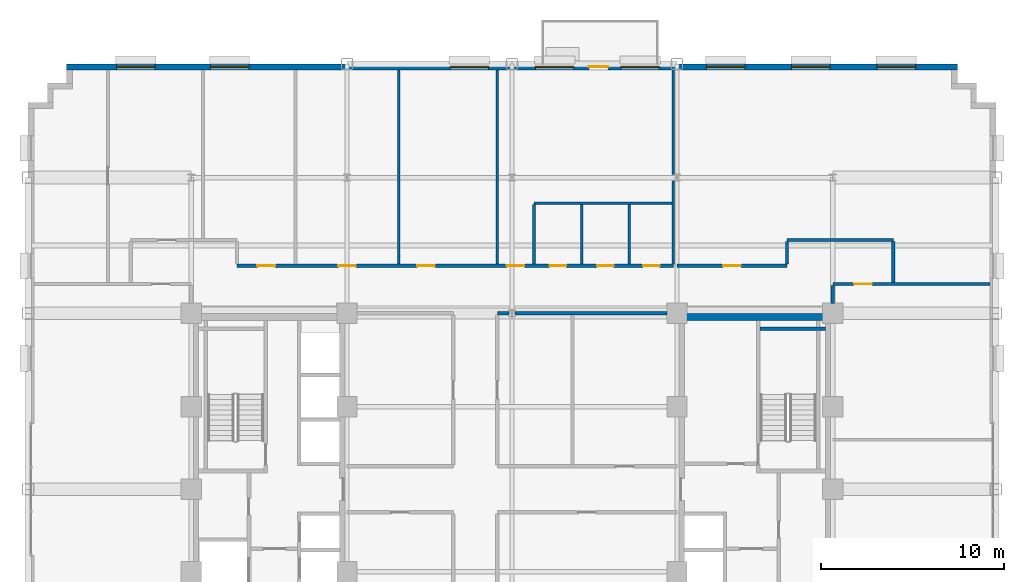
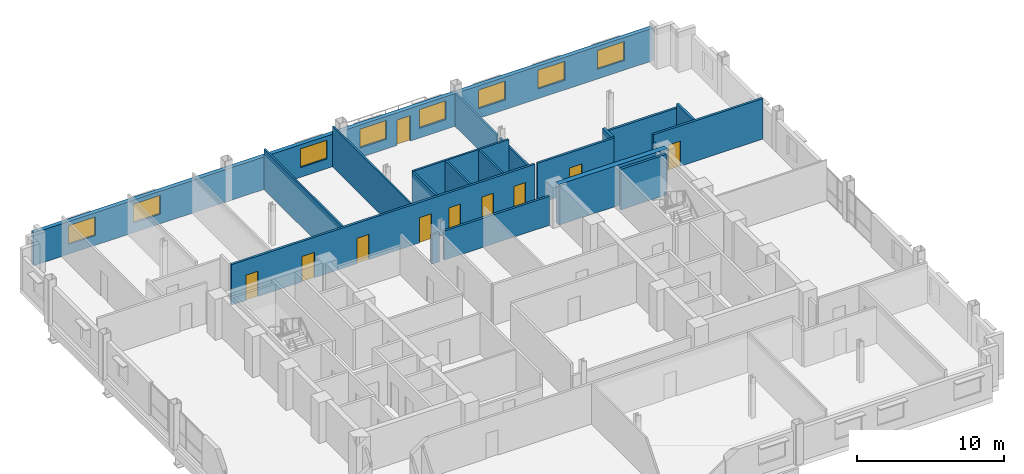
# One storey, part 9 of 16: 20 walls, 10 doors, 8 windows, 18 openings.
"""IFC4 building model written with IfcOpenShell, lengths in metres."""

from ifc_helpers import new_model, si_unit, direction, frame, frame_2d, origin, place, context, subcontext, project, spatial, rectangle, extrude, source, transform, mapped, material, layer, layer_set, type_object, type_shapes, element, fill, save


model = new_model("IFC4")

# Units and contexts
model_context = context("Model", 3, precision=1e-05, world=origin(), true_north=direction((0.0, 1.0)))
body_context = subcontext(model_context, "Body", "Model", "MODEL_VIEW")
ifc_project = project(units=[si_unit("LENGTHUNIT", "METRE"), si_unit("AREAUNIT", "SQUARE_METRE"), si_unit("VOLUMEUNIT", "CUBIC_METRE"), si_unit("PLANEANGLEUNIT", "RADIAN"), si_unit("MASSUNIT", "GRAM", prefix="KILO")], contexts=[model_context])

# Site, building, storey
site_placement = place(None, origin())
site = spatial("IfcSite", under=ifc_project, at=site_placement, CompositionType="ELEMENT")
building_placement = place(site_placement, origin())
building = spatial("IfcBuilding", under=site, at=building_placement, Name="Nuvemarco Arch Tower", CompositionType="ELEMENT")
storey_placement = place(building_placement, frame((0.0, 0.0, 116.550048828125)))
storey = spatial("IfcBuildingStorey", under=building, at=storey_placement, Name="L30", CompositionType="ELEMENT", Elevation=116.550048828125)

# Wall, openings, door, windows
ifc_material_1 = material(Name="Precast concrete C45/55", Category="concrete")
ifc_layer_1 = layer(ifc_material_1, 0.320068359375, Name="EW-MID-320")
ifc_layer_set_1 = layer_set([ifc_layer_1], Name="Precast concrete C45/55")
wall_type_1 = type_object("IfcWallType", Name="EW-MID-320", PredefinedType="STANDARD", material=ifc_layer_set_1)
wall_1_placement = place(storey_placement, frame((-24.300048828125, 23.0400390625, 0.0), z_axis=(0.0, 0.0, 1.0), x_axis=(1.0, 0.0, 0.0)))
wall_1 = element("IfcWall", 1, at=wall_1_placement, inside=storey, type_object=wall_type_1, Name="L30 exterior precast facade wall 11", PredefinedType="STANDARD", context=body_context, shape_type="SweptSolid", body=[
    extrude(rectangle(XDim=48.60009765625, YDim=0.320068359375, at=frame_2d((24.300048828125, 0.0))), origin(), (0.0, 0.0, 1.0), 2.704833984375),
])
opening_1_placement = place(wall_1_placement, frame((28.5, 0.0, 0.0)))
opening_1 = element("IfcOpeningElement", 2, at=opening_1_placement, cuts=wall_1, Name="Opening ED-5", PredefinedType="OPENING", context=body_context, shape_type="SweptSolid", body=[
    extrude(rectangle(XDim=1.050048828125, YDim=2.10009765625, at=frame_2d((0.52490234375, 1.050048828125))), frame((0.0, 0.169921875, 0.0), z_axis=(0.0, -1.0, 0.0), x_axis=(1.0, 0.0, 0.0)), (0.0, 0.0, 1.0), 0.340087890625),
])
opening_2_placement = place(wall_1_placement, frame((2.72998046875, 0.0, 0.800048828125)))
opening_2 = element("IfcOpeningElement", 3, at=opening_2_placement, cuts=wall_1, Name="Opening WN-5", PredefinedType="OPENING", context=body_context, shape_type="SweptSolid", body=[
    extrude(rectangle(XDim=2.10009765625, YDim=1.56005859375, at=frame_2d((1.050048828125, 0.780029296875))), frame((0.0, 0.169921875, 0.0), z_axis=(0.0, -1.0, 0.0), x_axis=(1.0, 0.0, 0.0)), (0.0, 0.0, 1.0), 0.340087890625),
])
opening_3_placement = place(wall_1_placement, frame((7.840087890625, 0.0, 0.800048828125)))
opening_3 = element("IfcOpeningElement", 4, at=opening_3_placement, cuts=wall_1, Name="Opening WN-5", PredefinedType="OPENING", context=body_context, shape_type="SweptSolid", body=[
    extrude(rectangle(XDim=2.10009765625, YDim=1.56005859375, at=frame_2d((1.050048828125, 0.780029296875))), frame((0.0, 0.169921875, 0.0), z_axis=(0.0, -1.0, 0.0), x_axis=(1.0, 0.0, 0.0)), (0.0, 0.0, 1.0), 0.340087890625),
])
opening_4_placement = place(wall_1_placement, frame((20.919921875, 0.0, 0.800048828125)))
opening_4 = element("IfcOpeningElement", 5, at=opening_4_placement, cuts=wall_1, Name="Opening WN-5", PredefinedType="OPENING", context=body_context, shape_type="SweptSolid", body=[
    extrude(rectangle(XDim=2.10009765625, YDim=1.56005859375, at=frame_2d((1.050048828125, 0.780029296875))), frame((0.0, 0.169921875, 0.0), z_axis=(0.0, -1.0, 0.0), x_axis=(1.0, 0.0, 0.0)), (0.0, 0.0, 1.0), 0.340087890625),
])
opening_5_placement = place(wall_1_placement, frame((25.580078125, 0.0, 0.800048828125)))
opening_5 = element("IfcOpeningElement", 6, at=opening_5_placement, cuts=wall_1, Name="Opening WN-5", PredefinedType="OPENING", context=body_context, shape_type="SweptSolid", body=[
    extrude(rectangle(XDim=2.10009765625, YDim=1.56005859375, at=frame_2d((1.050048828125, 0.780029296875))), frame((0.0, 0.169921875, 0.0), z_axis=(0.0, -1.0, 0.0), x_axis=(1.0, 0.0, 0.0)), (0.0, 0.0, 1.0), 0.340087890625),
])
opening_6_placement = place(wall_1_placement, frame((30.239990234375, 0.0, 0.800048828125)))
opening_6 = element("IfcOpeningElement", 7, at=opening_6_placement, cuts=wall_1, Name="Opening WN-5", PredefinedType="OPENING", context=body_context, shape_type="SweptSolid", body=[
    extrude(rectangle(XDim=2.10009765625, YDim=1.56005859375, at=frame_2d((1.050048828125, 0.780029296875))), frame((0.0, 0.169921875, 0.0), z_axis=(0.0, -1.0, 0.0), x_axis=(1.0, 0.0, 0.0)), (0.0, 0.0, 1.0), 0.340087890625),
])
opening_7_placement = place(wall_1_placement, frame((34.89990234375, 0.0, 0.800048828125)))
opening_7 = element("IfcOpeningElement", 8, at=opening_7_placement, cuts=wall_1, Name="Opening WN-5", PredefinedType="OPENING", context=body_context, shape_type="SweptSolid", body=[
    extrude(rectangle(XDim=2.10009765625, YDim=1.56005859375, at=frame_2d((1.050048828125, 0.780029296875))), frame((0.0, 0.169921875, 0.0), z_axis=(0.0, -1.0, 0.0), x_axis=(1.0, 0.0, 0.0)), (0.0, 0.0, 1.0), 0.340087890625),
])
opening_8_placement = place(wall_1_placement, frame((39.56005859375, 0.0, 0.800048828125)))
opening_8 = element("IfcOpeningElement", 9, at=opening_8_placement, cuts=wall_1, Name="Opening WN-5", PredefinedType="OPENING", context=body_context, shape_type="SweptSolid", body=[
    extrude(rectangle(XDim=2.10009765625, YDim=1.56005859375, at=frame_2d((1.050048828125, 0.780029296875))), frame((0.0, 0.169921875, 0.0), z_axis=(0.0, -1.0, 0.0), x_axis=(1.0, 0.0, 0.0)), (0.0, 0.0, 1.0), 0.340087890625),
])
opening_9_placement = place(wall_1_placement, frame((44.219970703125, 0.0, 0.800048828125)))
opening_9 = element("IfcOpeningElement", 10, at=opening_9_placement, cuts=wall_1, Name="Opening WN-5", PredefinedType="OPENING", context=body_context, shape_type="SweptSolid", body=[
    extrude(rectangle(XDim=2.10009765625, YDim=1.56005859375, at=frame_2d((1.050048828125, 0.780029296875))), frame((0.0, 0.169921875, 0.0), z_axis=(0.0, -1.0, 0.0), x_axis=(1.0, 0.0, 0.0)), (0.0, 0.0, 1.0), 0.340087890625),
])
ifc_material_2 = material(Name="Anodised bronze and laminated glass", Category="glass")
door_type_1 = type_object("IfcDoorType", Name="DR-EXT-TERR", OperationType="NOTDEFINED", PredefinedType="DOOR", material=ifc_material_2)
shared_shape_1 = source(origin(), body_context, "Body", "SweptSolid", [
    extrude(rectangle(XDim=1.050048828125, YDim=2.10009765625, at=frame_2d((0.52490234375, 1.050048828125))), frame((0.0, 0.02490234375, 0.0), z_axis=(0.0, -1.0, 0.0), x_axis=(1.0, 0.0, 0.0)), (0.0, 0.0, 1.0), 0.050048828125),
])
type_shapes(door_type_1, [shared_shape_1])
door_1_placement = place(opening_1_placement, origin())
door_1 = element("IfcDoor", 11, at=door_1_placement, inside=storey, type_object=door_type_1, Name="L30 spiral terrace access door", OperationType="SINGLE_SWING_LEFT", OverallHeight=2.10009765625, OverallWidth=1.050048828125, PredefinedType="DOOR", context=body_context, shape_type="MappedRepresentation", body=[
    mapped(shared_shape_1, transform((0.0, 0.0, 0.0), scale=1.0)),
])
fill(opening_1, door_1)
ifc_material_3 = material(Name="Insulated solar-control glass", Category="glass")
window_type = type_object("IfcWindowType", Name="WN-MID-2100x1560", PartitioningType="DOUBLE_PANEL_VERTICAL", PredefinedType="WINDOW", material=ifc_material_3)
shared_shape_2 = source(origin(), body_context, "Body", "SweptSolid", [
    extrude(rectangle(XDim=2.10009765625, YDim=1.56005859375, at=frame_2d((1.050048828125, 0.780029296875))), frame((0.0, 0.030029296875, 0.0), z_axis=(0.0, -1.0, 0.0), x_axis=(1.0, 0.0, 0.0)), (0.0, 0.0, 1.0), 0.06005859375),
])
type_shapes(window_type, [shared_shape_2])
window_1_placement = place(opening_2_placement, origin())
window_1 = element("IfcWindow", 12, at=window_1_placement, inside=storey, type_object=window_type, Name="L30 punched facade window 1", OverallHeight=1.56005859375, OverallWidth=2.10009765625, PartitioningType="SINGLE_PANEL", PredefinedType="WINDOW", context=body_context, shape_type="MappedRepresentation", body=[
    mapped(shared_shape_2, transform((0.0, 0.0, 0.0), scale=1.0)),
])
fill(opening_2, window_1)
window_2_placement = place(opening_3_placement, origin())
window_2 = element("IfcWindow", 13, at=window_2_placement, inside=storey, type_object=window_type, Name="L30 punched facade window 2", OverallHeight=1.56005859375, OverallWidth=2.10009765625, PartitioningType="SINGLE_PANEL", PredefinedType="WINDOW", context=body_context, shape_type="MappedRepresentation", body=[
    mapped(shared_shape_2, transform((0.0, 0.0, 0.0), scale=1.0)),
])
fill(opening_3, window_2)
window_3_placement = place(opening_4_placement, origin())
window_3 = element("IfcWindow", 14, at=window_3_placement, inside=storey, type_object=window_type, Name="L30 punched facade window 5", OverallHeight=1.56005859375, OverallWidth=2.10009765625, PartitioningType="SINGLE_PANEL", PredefinedType="WINDOW", context=body_context, shape_type="MappedRepresentation", body=[
    mapped(shared_shape_2, transform((0.0, 0.0, 0.0), scale=1.0)),
])
fill(opening_4, window_3)
window_4_placement = place(opening_5_placement, origin())
window_4 = element("IfcWindow", 15, at=window_4_placement, inside=storey, type_object=window_type, Name="L30 punched facade window 6", OverallHeight=1.56005859375, OverallWidth=2.10009765625, PartitioningType="SINGLE_PANEL", PredefinedType="WINDOW", context=body_context, shape_type="MappedRepresentation", body=[
    mapped(shared_shape_2, transform((0.0, 0.0, 0.0), scale=1.0)),
])
fill(opening_5, window_4)
window_5_placement = place(opening_6_placement, origin())
window_5 = element("IfcWindow", 16, at=window_5_placement, inside=storey, type_object=window_type, Name="L30 punched facade window 7", OverallHeight=1.56005859375, OverallWidth=2.10009765625, PartitioningType="SINGLE_PANEL", PredefinedType="WINDOW", context=body_context, shape_type="MappedRepresentation", body=[
    mapped(shared_shape_2, transform((0.0, 0.0, 0.0), scale=1.0)),
])
fill(opening_6, window_5)
window_6_placement = place(opening_7_placement, origin())
window_6 = element("IfcWindow", 17, at=window_6_placement, inside=storey, type_object=window_type, Name="L30 punched facade window 8", OverallHeight=1.56005859375, OverallWidth=2.10009765625, PartitioningType="SINGLE_PANEL", PredefinedType="WINDOW", context=body_context, shape_type="MappedRepresentation", body=[
    mapped(shared_shape_2, transform((0.0, 0.0, 0.0), scale=1.0)),
])
fill(opening_7, window_6)
window_7_placement = place(opening_8_placement, origin())
window_7 = element("IfcWindow", 18, at=window_7_placement, inside=storey, type_object=window_type, Name="L30 punched facade window 9", OverallHeight=1.56005859375, OverallWidth=2.10009765625, PartitioningType="SINGLE_PANEL", PredefinedType="WINDOW", context=body_context, shape_type="MappedRepresentation", body=[
    mapped(shared_shape_2, transform((0.0, 0.0, 0.0), scale=1.0)),
])
fill(opening_8, window_7)
window_8_placement = place(opening_9_placement, origin())
window_8 = element("IfcWindow", 19, at=window_8_placement, inside=storey, type_object=window_type, Name="L30 punched facade window 10", OverallHeight=1.56005859375, OverallWidth=2.10009765625, PartitioningType="SINGLE_PANEL", PredefinedType="WINDOW", context=body_context, shape_type="MappedRepresentation", body=[
    mapped(shared_shape_2, transform((0.0, 0.0, 0.0), scale=1.0)),
])
fill(opening_9, window_8)

# Walls
ifc_material_4 = material(Name="Concrete C60/75", Category="concrete")
ifc_layer_2 = layer(ifc_material_4, 0.39990234375, Name="WL-CORE-400")
ifc_layer_set_2 = layer_set([ifc_layer_2], Name="Concrete C60/75")
wall_type_2 = type_object("IfcWallType", Name="WL-CORE-400", PredefinedType="SHEAR", material=ifc_layer_set_2)
wall_2_placement = place(storey_placement, frame((9.0, 9.39990234375, 0.0), z_axis=(0.0, 0.0, 1.0), x_axis=(1.0, 0.0, 0.0)))
element("IfcWall", 20, at=wall_2_placement, inside=storey, type_object=wall_type_2, Name="L30 E-core shear wall N", PredefinedType="SHEAR", context=body_context, shape_type="SweptSolid", body=[
    extrude(rectangle(XDim=8.5, YDim=0.39990234375, at=frame_2d((4.25, 0.0))), origin(), (0.0, 0.0, 1.0), 3.369873046875),
])
ifc_material_5 = material(Name="Fire-rated gypsum drywall partition")
ifc_layer_3 = layer(ifc_material_5, 0.179931640625, Name="WL-CORR-180")
ifc_layer_set_3 = layer_set([ifc_layer_3], Name="Fire-rated gypsum drywall partition")
wall_type_3 = type_object("IfcWallType", Name="WL-CORR-180", PredefinedType="PARTITIONING", material=ifc_layer_set_3)
wall_3_placement = place(storey_placement, frame((-0.800048828125, 9.60009765625, 0.0), z_axis=(0.0, 0.0, 1.0), x_axis=(1.0, 0.0, 0.0)))
element("IfcWall", 21, at=wall_3_placement, inside=storey, type_object=wall_type_3, Name="L30 interior wall IW-L30-016", PredefinedType="PARTITIONING", context=body_context, shape_type="SweptSolid", body=[
    extrude(rectangle(XDim=0.6240234375, YDim=0.179931640625, at=frame_2d((0.31201171875, 0.0))), origin(), (0.0, 0.0, 1.0), 2.405029296875),
])
wall_4_placement = place(storey_placement, frame((0.176025390625, 9.60009765625, 0.0), z_axis=(0.0, 0.0, 1.0), x_axis=(1.0, 0.0, 0.0)))
element("IfcWall", 22, at=wall_4_placement, inside=storey, type_object=wall_type_3, Name="L30 interior wall IW-L30-017", PredefinedType="PARTITIONING", context=body_context, shape_type="SweptSolid", body=[
    extrude(rectangle(XDim=8.278076171875, YDim=0.179931640625, at=frame_2d((4.13916015625, 0.0))), origin(), (0.0, 0.0, 1.0), 2.405029296875),
])

# Wall, opening, door
wall_5_placement = place(storey_placement, frame((17.5, 11.199951171875, 0.0), z_axis=(0.0, 0.0, 1.0), x_axis=(1.0, 0.0, 0.0)))
wall_5 = element("IfcWall", 23, at=wall_5_placement, inside=storey, type_object=wall_type_3, Name="L30 interior wall IW-L30-019", PredefinedType="PARTITIONING", context=body_context, shape_type="SweptSolid", body=[
    extrude(rectangle(XDim=8.580078125, YDim=0.179931640625, at=frame_2d((4.2900390625, 0.0))), origin(), (0.0, 0.0, 1.0), 3.35986328125),
])
opening_10_placement = place(wall_5_placement, frame((1.169921875, 0.0, 0.0)))
opening_10 = element("IfcOpeningElement", 24, at=opening_10_placement, cuts=wall_5, Name="Opening FD-5", PredefinedType="OPENING", context=body_context, shape_type="SweptSolid", body=[
    extrude(rectangle(XDim=0.9599609375, YDim=2.10009765625, at=frame_2d((0.47998046875, 1.050048828125))), frame((0.0, 0.099853515625, 0.0), z_axis=(0.0, -1.0, 0.0), x_axis=(1.0, 0.0, 0.0)), (0.0, 0.0, 1.0), 0.199951171875),
])
ifc_material_6 = material(Name="Timber fire door", Category="wood")
door_type_2 = type_object("IfcDoorType", Name="DR-CORR-FD", OperationType="NOTDEFINED", PredefinedType="DOOR", material=ifc_material_6)
shared_shape_3 = source(origin(), body_context, "Body", "SweptSolid", [
    extrude(rectangle(XDim=0.9599609375, YDim=2.10009765625, at=frame_2d((0.47998046875, 1.050048828125))), frame((0.0, 0.02490234375, 0.0), z_axis=(0.0, -1.0, 0.0), x_axis=(1.0, 0.0, 0.0)), (0.0, 0.0, 1.0), 0.050048828125),
])
type_shapes(door_type_2, [shared_shape_3])
door_2_placement = place(opening_10_placement, origin())
door_2 = element("IfcDoor", 25, at=door_2_placement, inside=storey, type_object=door_type_2, Name="L30 door DR-L30-E_2", OperationType="SINGLE_SWING_RIGHT", OverallHeight=2.10009765625, OverallWidth=0.9599609375, PredefinedType="DOOR", context=body_context, shape_type="MappedRepresentation", body=[
    mapped(shared_shape_3, transform((0.0, 0.0, 0.0), scale=1.0)),
])
fill(opening_10, door_2)

# Wall, openings, doors
wall_6_placement = place(storey_placement, frame((-15.0, 12.199951171875, 0.0), z_axis=(0.0, 0.0, 1.0), x_axis=(1.0, 0.0, 0.0)))
wall_6 = element("IfcWall", 26, at=wall_6_placement, inside=storey, type_object=wall_type_3, Name="L30 interior wall IW-L30-020", PredefinedType="PARTITIONING", context=body_context, shape_type="SweptSolid", body=[
    extrude(rectangle(XDim=23.800048828125, YDim=0.179931640625, at=frame_2d((11.89990234375, 0.0))), origin(), (0.0, 0.0, 1.0), 3.35986328125),
])
opening_11_placement = place(wall_6_placement, frame((5.52490234375, 0.0, 0.0)))
opening_11 = element("IfcOpeningElement", 27, at=opening_11_placement, cuts=wall_6, Name="Opening FD-5", PredefinedType="OPENING", context=body_context, shape_type="SweptSolid", body=[
    extrude(rectangle(XDim=0.9599609375, YDim=2.10009765625, at=frame_2d((0.47998046875, 1.050048828125))), frame((0.0, 0.099853515625, 0.0), z_axis=(0.0, -1.0, 0.0), x_axis=(1.0, 0.0, 0.0)), (0.0, 0.0, 1.0), 0.199951171875),
])
opening_12_placement = place(wall_6_placement, frame((1.114990234375, 0.0, 0.0)))
opening_12 = element("IfcOpeningElement", 28, at=opening_12_placement, cuts=wall_6, Name="Opening FD-5", PredefinedType="OPENING", context=body_context, shape_type="SweptSolid", body=[
    extrude(rectangle(XDim=0.9599609375, YDim=2.10009765625, at=frame_2d((0.47998046875, 1.050048828125))), frame((0.0, 0.099853515625, 0.0), z_axis=(0.0, -1.0, 0.0), x_axis=(1.0, 0.0, 0.0)), (0.0, 0.0, 1.0), 0.199951171875),
])
opening_13_placement = place(wall_6_placement, frame((9.830078125, 0.0, 0.0)))
opening_13 = element("IfcOpeningElement", 29, at=opening_13_placement, cuts=wall_6, Name="Opening FD-5", PredefinedType="OPENING", context=body_context, shape_type="SweptSolid", body=[
    extrude(rectangle(XDim=0.9599609375, YDim=2.10009765625, at=frame_2d((0.47998046875, 1.050048828125))), frame((0.0, 0.099853515625, 0.0), z_axis=(0.0, -1.0, 0.0), x_axis=(1.0, 0.0, 0.0)), (0.0, 0.0, 1.0), 0.199951171875),
])
opening_14_placement = place(wall_6_placement, frame((19.64990234375, 0.0, 0.0)))
opening_14 = element("IfcOpeningElement", 30, at=opening_14_placement, cuts=wall_6, Name="Opening ID-3", PredefinedType="OPENING", context=body_context, shape_type="SweptSolid", body=[
    extrude(rectangle(XDim=0.89990234375, YDim=2.10009765625, at=frame_2d((0.449951171875, 1.050048828125))), frame((0.0, 0.099853515625, 0.0), z_axis=(0.0, -1.0, 0.0), x_axis=(1.0, 0.0, 0.0)), (0.0, 0.0, 1.0), 0.199951171875),
])
opening_15_placement = place(wall_6_placement, frame((17.050048828125, 0.0, 0.0)))
opening_15 = element("IfcOpeningElement", 31, at=opening_15_placement, cuts=wall_6, Name="Opening ID-3", PredefinedType="OPENING", context=body_context, shape_type="SweptSolid", body=[
    extrude(rectangle(XDim=0.89990234375, YDim=2.10009765625, at=frame_2d((0.449951171875, 1.050048828125))), frame((0.0, 0.099853515625, 0.0), z_axis=(0.0, -1.0, 0.0), x_axis=(1.0, 0.0, 0.0)), (0.0, 0.0, 1.0), 0.199951171875),
])
opening_16_placement = place(wall_6_placement, frame((22.14990234375, 0.0, 0.0)))
opening_16 = element("IfcOpeningElement", 32, at=opening_16_placement, cuts=wall_6, Name="Opening ID-3", PredefinedType="OPENING", context=body_context, shape_type="SweptSolid", body=[
    extrude(rectangle(XDim=0.89990234375, YDim=2.10009765625, at=frame_2d((0.449951171875, 1.050048828125))), frame((0.0, 0.099853515625, 0.0), z_axis=(0.0, -1.0, 0.0), x_axis=(1.0, 0.0, 0.0)), (0.0, 0.0, 1.0), 0.199951171875),
])
opening_17_placement = place(wall_6_placement, frame((14.719970703125, 0.0, 0.0)))
opening_17 = element("IfcOpeningElement", 33, at=opening_17_placement, cuts=wall_6, Name="Opening FD-5", PredefinedType="OPENING", context=body_context, shape_type="SweptSolid", body=[
    extrude(rectangle(XDim=0.9599609375, YDim=2.10009765625, at=frame_2d((0.47998046875, 1.050048828125))), frame((0.0, 0.099853515625, 0.0), z_axis=(0.0, -1.0, 0.0), x_axis=(1.0, 0.0, 0.0)), (0.0, 0.0, 1.0), 0.199951171875),
])
door_3_placement = place(opening_11_placement, origin())
door_3 = element("IfcDoor", 34, at=door_3_placement, inside=storey, type_object=door_type_2, Name="L30 door DR-L30-N_4", OperationType="SINGLE_SWING_LEFT", OverallHeight=2.10009765625, OverallWidth=0.9599609375, PredefinedType="DOOR", context=body_context, shape_type="MappedRepresentation", body=[
    mapped(shared_shape_3, transform((0.0, 0.0, 0.0), scale=1.0)),
])
fill(opening_11, door_3)
door_4_placement = place(opening_12_placement, origin())
door_4 = element("IfcDoor", 35, at=door_4_placement, inside=storey, type_object=door_type_2, Name="L30 door DR-L30-N_3", OperationType="SINGLE_SWING_LEFT", OverallHeight=2.10009765625, OverallWidth=0.9599609375, PredefinedType="DOOR", context=body_context, shape_type="MappedRepresentation", body=[
    mapped(shared_shape_3, transform((0.0, 0.0, 0.0), scale=1.0)),
])
fill(opening_12, door_4)
door_5_placement = place(opening_13_placement, origin())
door_5 = element("IfcDoor", 36, at=door_5_placement, inside=storey, type_object=door_type_2, Name="L30 door DR-L30-N_5", OperationType="SINGLE_SWING_RIGHT", OverallHeight=2.10009765625, OverallWidth=0.9599609375, PredefinedType="DOOR", context=body_context, shape_type="MappedRepresentation", body=[
    mapped(shared_shape_3, transform((0.0, 0.0, 0.0), scale=1.0)),
])
fill(opening_13, door_5)
door_6_placement = place(opening_17_placement, origin())
door_6 = element("IfcDoor", 37, at=door_6_placement, inside=storey, type_object=door_type_2, Name="L30 door DR-L30-N_6", OperationType="SINGLE_SWING_LEFT", OverallHeight=2.10009765625, OverallWidth=0.9599609375, PredefinedType="DOOR", context=body_context, shape_type="MappedRepresentation", body=[
    mapped(shared_shape_3, transform((0.0, 0.0, 0.0), scale=1.0)),
])
fill(opening_17, door_6)
ifc_material_7 = material(Name="Veneered oak timber fire door", Category="wood")
door_type_3 = type_object("IfcDoorType", Name="DR-WC-ACC", OperationType="NOTDEFINED", PredefinedType="DOOR", material=ifc_material_7)
shared_shape_4 = source(origin(), body_context, "Body", "SweptSolid", [
    extrude(rectangle(XDim=0.89990234375, YDim=2.10009765625, at=frame_2d((0.449951171875, 1.050048828125))), frame((0.0, 0.02490234375, 0.0), z_axis=(0.0, -1.0, 0.0), x_axis=(1.0, 0.0, 0.0)), (0.0, 0.0, 1.0), 0.050048828125),
])
type_shapes(door_type_3, [shared_shape_4])
door_7_placement = place(opening_14_placement, origin())
door_7 = element("IfcDoor", 38, at=door_7_placement, inside=storey, type_object=door_type_3, Name="L30 door DR-L30-WC_F", OperationType="SINGLE_SWING_LEFT", OverallHeight=2.10009765625, OverallWidth=0.89990234375, PredefinedType="DOOR", context=body_context, shape_type="MappedRepresentation", body=[
    mapped(shared_shape_4, transform((0.0, 0.0, 0.0), scale=1.0)),
])
fill(opening_14, door_7)
door_8_placement = place(opening_15_placement, origin())
door_8 = element("IfcDoor", 39, at=door_8_placement, inside=storey, type_object=door_type_3, Name="L30 door DR-L30-WC_M", OperationType="SINGLE_SWING_RIGHT", OverallHeight=2.10009765625, OverallWidth=0.89990234375, PredefinedType="DOOR", context=body_context, shape_type="MappedRepresentation", body=[
    mapped(shared_shape_4, transform((0.0, 0.0, 0.0), scale=1.0)),
])
fill(opening_15, door_8)
door_9_placement = place(opening_16_placement, origin())
door_9 = element("IfcDoor", 40, at=door_9_placement, inside=storey, type_object=door_type_3, Name="L30 door DR-L30-WC_ACC", OperationType="SINGLE_SWING_LEFT", OverallHeight=2.10009765625, OverallWidth=0.89990234375, PredefinedType="DOOR", context=body_context, shape_type="MappedRepresentation", body=[
    mapped(shared_shape_4, transform((0.0, 0.0, 0.0), scale=1.0)),
])
fill(opening_16, door_9)

# Wall, opening, door
wall_7_placement = place(storey_placement, frame((9.0, 12.199951171875, 0.0), z_axis=(0.0, 0.0, 1.0), x_axis=(1.0, 0.0, 0.0)))
wall_7 = element("IfcWall", 41, at=wall_7_placement, inside=storey, type_object=wall_type_3, Name="L30 interior wall IW-L30-021", PredefinedType="PARTITIONING", context=body_context, shape_type="SweptSolid", body=[
    extrude(rectangle(XDim=6.0, YDim=0.179931640625, at=frame_2d((3.0, 0.0))), origin(), (0.0, 0.0, 1.0), 3.35986328125),
])
opening_18_placement = place(wall_7_placement, frame((2.52001953125, 0.0, 0.0)))
opening_18 = element("IfcOpeningElement", 42, at=opening_18_placement, cuts=wall_7, Name="Opening FD-5", PredefinedType="OPENING", context=body_context, shape_type="SweptSolid", body=[
    extrude(rectangle(XDim=0.9599609375, YDim=2.10009765625, at=frame_2d((0.47998046875, 1.050048828125))), frame((0.0, 0.099853515625, 0.0), z_axis=(0.0, -1.0, 0.0), x_axis=(1.0, 0.0, 0.0)), (0.0, 0.0, 1.0), 0.199951171875),
])
door_10_placement = place(opening_18_placement, origin())
door_10 = element("IfcDoor", 43, at=door_10_placement, inside=storey, type_object=door_type_2, Name="L30 door DR-L30-N_7", OperationType="SINGLE_SWING_RIGHT", OverallHeight=2.10009765625, OverallWidth=0.9599609375, PredefinedType="DOOR", context=body_context, shape_type="MappedRepresentation", body=[
    mapped(shared_shape_3, transform((0.0, 0.0, 0.0), scale=1.0)),
])
fill(opening_18, door_10)

# Walls
wall_8_placement = place(storey_placement, frame((15.0, 13.60009765625, 0.0), z_axis=(0.0, 0.0, 1.0), x_axis=(1.0, 0.0, 0.0)))
element("IfcWall", 44, at=wall_8_placement, inside=storey, type_object=wall_type_3, Name="L30 interior wall IW-L30-023", PredefinedType="PARTITIONING", context=body_context, shape_type="SweptSolid", body=[
    extrude(rectangle(XDim=5.800048828125, YDim=0.179931640625, at=frame_2d((2.89990234375, 0.0))), origin(), (0.0, 0.0, 1.0), 2.998046875),
])
wall_9_placement = place(storey_placement, frame((15.0, 12.285888671875, 0.0), z_axis=(0.0, 0.0, 1.0), x_axis=(0.0, 1.0, 0.0)))
element("IfcWall", 45, at=wall_9_placement, inside=storey, type_object=wall_type_3, Name="L30 interior wall IW-L30-050", PredefinedType="PARTITIONING", context=body_context, shape_type="SweptSolid", body=[
    extrude(rectangle(XDim=1.22802734375, YDim=0.179931640625, at=frame_2d((0.614013671875, 0.0))), origin(), (0.0, 0.0, 1.0), 3.35986328125),
])
wall_10_placement = place(storey_placement, frame((17.5, 10.14599609375, 0.0), z_axis=(0.0, 0.0, 1.0), x_axis=(0.0, 1.0, 0.0)))
element("IfcWall", 46, at=wall_10_placement, inside=storey, type_object=wall_type_3, Name="L30 interior wall IW-L30-052", PredefinedType="PARTITIONING", context=body_context, shape_type="SweptSolid", body=[
    extrude(rectangle(XDim=0.968017578125, YDim=0.179931640625, at=frame_2d((0.48388671875, 0.0))), origin(), (0.0, 0.0, 1.0), 2.738037109375),
])
wall_11_placement = place(storey_placement, frame((20.800048828125, 11.285888671875, 0.0), z_axis=(0.0, 0.0, 1.0), x_axis=(0.0, 1.0, 0.0)))
element("IfcWall", 47, at=wall_11_placement, inside=storey, type_object=wall_type_3, Name="L30 interior wall IW-L30-054", PredefinedType="PARTITIONING", context=body_context, shape_type="SweptSolid", body=[
    extrude(rectangle(XDim=2.22802734375, YDim=0.179931640625, at=frame_2d((1.114013671875, 0.0))), origin(), (0.0, 0.0, 1.0), 3.35986328125),
])
ifc_material_8 = material(Name="Glazed acoustic office partition")
ifc_layer_4 = layer(ifc_material_8, 0.1298828125, Name="WL-EXEC-130")
ifc_layer_set_4 = layer_set([ifc_layer_4], Name="Glazed acoustic office partition")
wall_type_4 = type_object("IfcWallType", Name="WL-EXEC-130", PredefinedType="PARTITIONING", material=ifc_layer_set_4)
wall_12_placement = place(storey_placement, frame((-0.800048828125, 12.285888671875, 0.0), z_axis=(0.0, 0.0, 1.0), x_axis=(0.0, 1.0, 0.0)))
element("IfcWall", 48, at=wall_12_placement, inside=storey, type_object=wall_type_4, Name="L30 interior wall IW-L30-041", PredefinedType="PARTITIONING", context=body_context, shape_type="SweptSolid", body=[
    extrude(rectangle(XDim=10.593994140625, YDim=0.1298828125, at=frame_2d((5.296875, 0.0))), origin(), (0.0, 0.0, 1.0), 3.35986328125),
])
ifc_material_9 = material(Name="Gypsum plasterboard partition")
ifc_layer_5 = layer(ifc_material_9, 0.139892578125, Name="WL-ROOM-140")
ifc_layer_set_5 = layer_set([ifc_layer_5], Name="Gypsum plasterboard partition")
wall_type_5 = type_object("IfcWallType", Name="WL-ROOM-140", PredefinedType="PARTITIONING", material=ifc_layer_set_5)
wall_13_placement = place(storey_placement, frame((-6.179931640625, 12.285888671875, 0.0), z_axis=(0.0, 0.0, 1.0), x_axis=(0.0, 1.0, 0.0)))
element("IfcWall", 49, at=wall_13_placement, inside=storey, type_object=wall_type_5, Name="L30 interior wall IW-L30-035", PredefinedType="PARTITIONING", context=body_context, shape_type="SweptSolid", body=[
    extrude(rectangle(XDim=10.593994140625, YDim=0.139892578125, at=frame_2d((5.296875, 0.0))), origin(), (0.0, 0.0, 1.0), 3.35986328125),
])
ifc_material_10 = material(Name="Concrete C50/60", Category="concrete")
ifc_layer_6 = layer(ifc_material_10, 0.199951171875, Name="WL-SHAFT-220")
ifc_layer_set_6 = layer_set([ifc_layer_6], Name="Concrete C50/60")
wall_type_6 = type_object("IfcWallType", Name="WL-SHAFT-220", PredefinedType="SHEAR", material=ifc_layer_set_6)
wall_14_placement = place(storey_placement, frame((13.534912109375, 8.75, 0.0), z_axis=(0.0, 0.0, 1.0), x_axis=(1.0, 0.0, 0.0)))
element("IfcWall", 50, at=wall_14_placement, inside=storey, type_object=wall_type_6, Name="L30 structural shaft wall SW-L30-E-ST2N", PredefinedType="SHEAR", context=body_context, shape_type="SweptSolid", body=[
    extrude(rectangle(XDim=3.570068359375, YDim=0.199951171875, at=frame_2d((1.78515625, 0.0))), origin(), (0.0, 0.0, 1.0), 3.369873046875),
])
ifc_material_11 = material(Name="Moisture-resistant gypsum partition")
ifc_layer_7 = layer(ifc_material_11, 0.14990234375, Name="WL-WET-150")
ifc_layer_set_7 = layer_set([ifc_layer_7], Name="Moisture-resistant gypsum partition")
wall_type_7 = type_object("IfcWallType", Name="WL-WET-150", PredefinedType="PARTITIONING", material=ifc_layer_set_7)
wall_15_placement = place(storey_placement, frame((1.199951171875, 15.60009765625, 0.0), z_axis=(0.0, 0.0, 1.0), x_axis=(1.0, 0.0, 0.0)))
element("IfcWall", 51, at=wall_15_placement, inside=storey, type_object=wall_type_7, Name="L30 interior wall IW-L30-024", PredefinedType="PARTITIONING", context=body_context, shape_type="SweptSolid", body=[
    extrude(rectangle(XDim=7.529052734375, YDim=0.14990234375, at=frame_2d((3.7646484375, 0.0))), origin(), (0.0, 0.0, 1.0), 3.35986328125),
])
for number, where, z_axis, x_axis, name in (
    (52, (1.199951171875, 12.285888671875, 0.0), (0.0, 0.0, 1.0), (0.0, 1.0, 0.0), "L30 interior wall IW-L30-042"),
    (53, (3.800048828125, 12.285888671875, 0.0), (0.0, 0.0, 1.0), (0.0, 1.0, 0.0), "L30 interior wall IW-L30-044"),
    (54, (6.39990234375, 12.285888671875, 0.0), (0.0, 0.0, 1.0), (0.0, 1.0, 0.0), "L30 interior wall IW-L30-045"),
):
    element("IfcWall", number, at=place(storey_placement, frame(where, z_axis=z_axis, x_axis=x_axis)), inside=storey, type_object=wall_type_7, Name=name, PredefinedType="PARTITIONING", context=body_context, shape_type="SweptSolid", body=[
        extrude(rectangle(XDim=3.2431640625, YDim=0.14990234375, at=frame_2d((1.62158203125, 0.0))), origin(), (0.0, 0.0, 1.0), 3.35986328125),
    ])
wall_16_placement = place(storey_placement, frame((8.800048828125, 12.285888671875, 0.0), z_axis=(0.0, 0.0, 1.0), x_axis=(0.0, 1.0, 0.0)))
element("IfcWall", 55, at=wall_16_placement, inside=storey, type_object=wall_type_7, Name="L30 interior wall IW-L30-046", PredefinedType="PARTITIONING", context=body_context, shape_type="SweptSolid", body=[
    extrude(rectangle(XDim=4.5380859375, YDim=0.14990234375, at=frame_2d((2.26904296875, 0.0))), origin(), (0.0, 0.0, 1.0), 2.738037109375),
])
wall_17_placement = place(storey_placement, frame((8.800048828125, 17.176025390625, 0.0), z_axis=(0.0, 0.0, 1.0), x_axis=(0.0, 1.0, 0.0)))
element("IfcWall", 56, at=wall_17_placement, inside=storey, type_object=wall_type_7, Name="L30 interior wall IW-L30-047", PredefinedType="PARTITIONING", context=body_context, shape_type="SweptSolid", body=[
    extrude(rectangle(XDim=5.702880859375, YDim=0.14990234375, at=frame_2d((2.8515625, 0.0))), origin(), (0.0, 0.0, 1.0), 2.738037109375),
])

save(model, "model.ifc")
